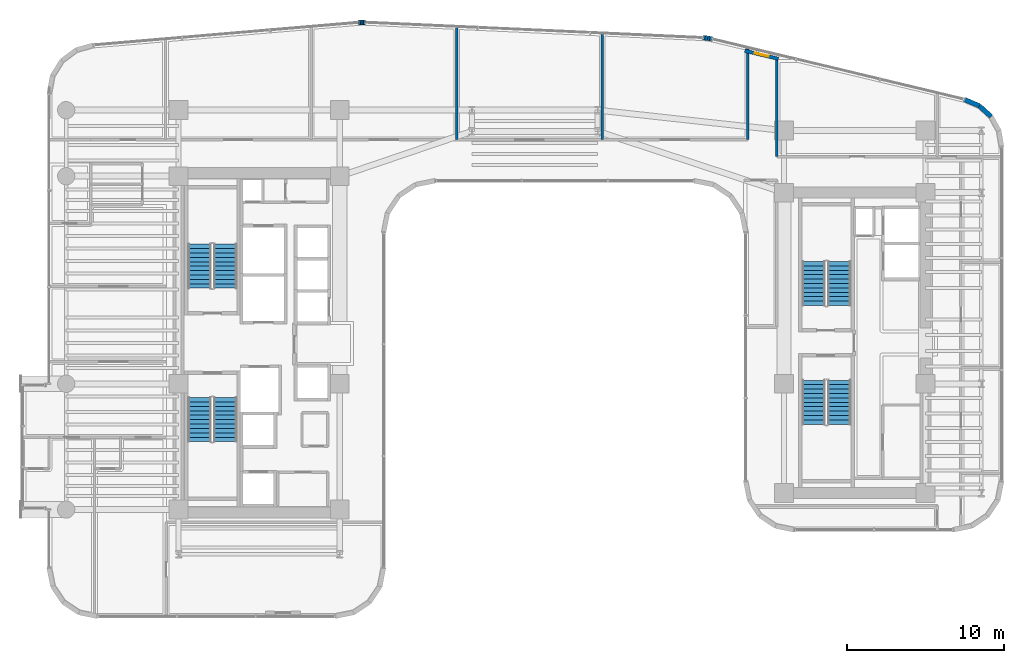
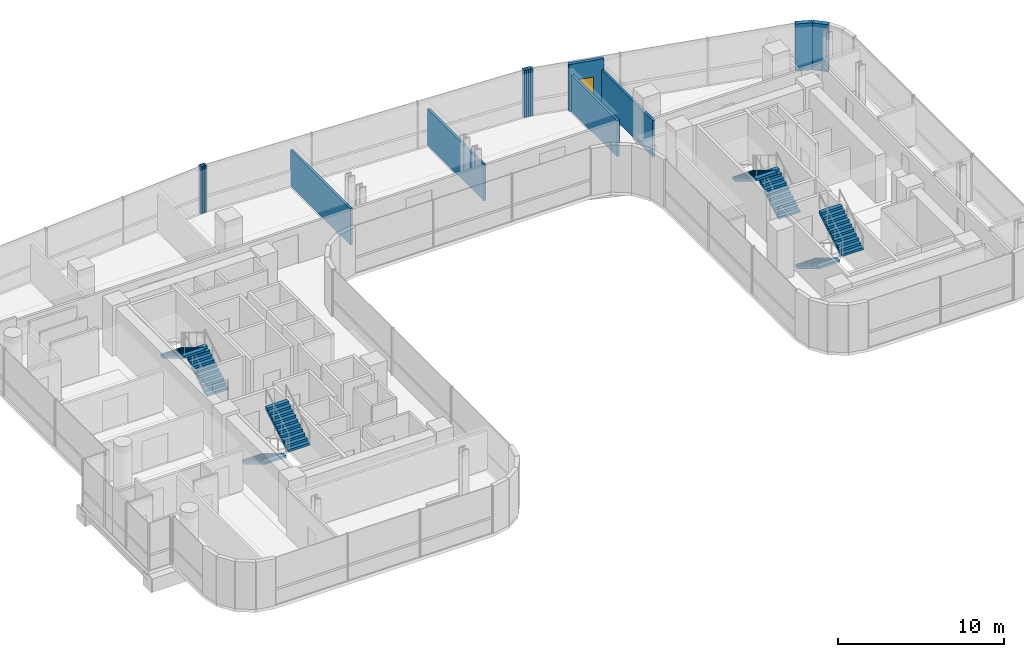
# One storey, part 32 of 37: 15 walls, 8 stair flights, 1 window, 1 opening, 4 elements without a shape of their own.
"""IFC4 building model written with IfcOpenShell, lengths in metres."""

from ifc_helpers import new_model, si_unit, direction, frame, frame_2d, origin, place, context, subcontext, project, spatial, polyline, rectangle, outline, extrude, material, layer, layer_set, type_object, element, fill, aggregate, save


model = new_model("IFC4")

# Units and contexts
model_context = context("Model", 3, precision=1e-05, world=origin(), true_north=direction((0.0, 1.0)))
body_context = subcontext(model_context, "Body", "Model", "MODEL_VIEW")
ifc_project = project(units=[si_unit("LENGTHUNIT", "METRE"), si_unit("AREAUNIT", "SQUARE_METRE"), si_unit("VOLUMEUNIT", "CUBIC_METRE"), si_unit("PLANEANGLEUNIT", "RADIAN"), si_unit("MASSUNIT", "GRAM", prefix="KILO")], contexts=[model_context])

# Site, building, storey
site_placement = place(None, origin())
site = spatial("IfcSite", under=ifc_project, at=site_placement, CompositionType="ELEMENT")
building_placement = place(site_placement, origin())
building = spatial("IfcBuilding", under=site, at=building_placement, Name="Valdorenza Pilgrim Sanctuary Tower", CompositionType="ELEMENT")
storey_placement = place(building_placement, frame((0.0, 0.0, 135.300048828125)))
storey = spatial("IfcBuildingStorey", under=building, at=storey_placement, Name="L34", CompositionType="ELEMENT", Elevation=135.300048828125)

# Walls
ifc_material_1 = material(Name="Acoustic twin-stud gypsum partition", Category="gypsum")
ifc_layer_1 = layer(ifc_material_1, 0.159912109375, Name="Acoustic twin-stud gypsum partition")
ifc_layer_set_1 = layer_set([ifc_layer_1], Name="Acoustic twin-stud gypsum partition")
wall_type_1 = type_object("IfcWallType", Name="WAL-COR-160", PredefinedType="PARTITIONING", material=ifc_layer_set_1)
wall_1_placement = place(storey_placement, frame((13.550048828125, 12.919921875, 0.0), z_axis=(0.0, 0.0, 1.0), x_axis=(0.0, 1.0, 0.0)))
element("IfcWall", 1, at=wall_1_placement, inside=storey, type_object=wall_type_1, Name="L34 North Band East Closure", PredefinedType="PARTITIONING", context=body_context, shape_type="SweptSolid", body=[
    extrude(rectangle(XDim=5.856689453125, YDim=0.159912109375, at=frame_2d((2.92822265625, 0.0))), origin(), (0.0, 0.0, 1.0), 2.666015625),
])
wall_2_placement = place(storey_placement, frame((15.39990234375, 11.85009765625, 0.0), z_axis=(0.0, 0.0, 1.0), x_axis=(0.0, 1.0, 0.0)))
element("IfcWall", 2, at=wall_2_placement, inside=storey, type_object=wall_type_1, Name="L34 Wing B North West Wall", PredefinedType="PARTITIONING", context=body_context, shape_type="SweptSolid", body=[
    extrude(rectangle(XDim=6.14990234375, YDim=0.159912109375, at=frame_2d((3.074951171875, 0.0))), origin(), (0.0, 0.0, 1.0), 2.666015625),
])
ifc_material_2 = material(Name="Honed travertine limestone", Category="masonry")
ifc_layer_2 = layer(ifc_material_2, 0.300048828125, Name="Honed travertine limestone")
ifc_layer_set_2 = layer_set([ifc_layer_2], Name="Honed travertine limestone")
wall_type_2 = type_object("IfcWallType", Name="WAL-EXT-300", PredefinedType="SOLIDWALL", material=ifc_layer_set_2)
wall_3_placement = place(storey_placement, frame((-11.199462890625, 20.37255859375, 0.0), z_axis=(0.0, 0.0, 1.0), x_axis=(0.997567332166, 0.069709524416, 0.0)))
element("IfcWall", 3, at=wall_3_placement, inside=storey, type_object=wall_type_2, Name="L34 Rounded Wind-Corner Stone Pier 7", PredefinedType="SOLIDWALL", context=body_context, shape_type="SweptSolid", body=[
    extrude(rectangle(XDim=0.1015625, YDim=0.300048828125, at=frame_2d((0.05078125, 0.0))), origin(), (0.0, 0.0, 1.0), 3.4599609375),
])
wall_4_placement = place(storey_placement, frame((-11.09814453125, 20.379638671875, 0.0), z_axis=(0.0, 0.0, 1.0), x_axis=(0.999334672785, 0.03647206835, 0.0)))
element("IfcWall", 4, at=wall_4_placement, inside=storey, type_object=wall_type_2, Name="L34 Rounded Wind-Corner Stone Pier 8", PredefinedType="SOLIDWALL", context=body_context, shape_type="SweptSolid", body=[
    extrude(rectangle(XDim=0.100341796875, YDim=0.300048828125, at=frame_2d((0.05029296875, 0.0))), origin(), (0.0, 0.0, 1.0), 3.4599609375),
])
wall_5_placement = place(storey_placement, frame((-10.997802734375, 20.38330078125, 0.0), z_axis=(0.0, 0.0, 1.0), x_axis=(0.999997054401, 0.002427177317, 0.0)))
element("IfcWall", 5, at=wall_5_placement, inside=storey, type_object=wall_type_2, Name="L34 Rounded Wind-Corner Stone Pier 9", PredefinedType="SOLIDWALL", context=body_context, shape_type="SweptSolid", body=[
    extrude(rectangle(XDim=0.1005859375, YDim=0.300048828125, at=frame_2d((0.05029296875, 0.0))), origin(), (0.0, 0.0, 1.0), 3.4599609375),
])
wall_6_placement = place(storey_placement, frame((-10.897216796875, 20.383544921875, 0.0), z_axis=(0.0, 0.0, 1.0), x_axis=(0.999584209171, -0.02883415988, 0.0)))
element("IfcWall", 6, at=wall_6_placement, inside=storey, type_object=wall_type_2, Name="L34 Rounded Wind-Corner Stone Pier 10", PredefinedType="SOLIDWALL", context=body_context, shape_type="SweptSolid", body=[
    extrude(rectangle(XDim=0.1015625, YDim=0.300048828125, at=frame_2d((0.05078125, 0.0))), origin(), (0.0, 0.0, 1.0), 3.4599609375),
])
wall_7_placement = place(storey_placement, frame((10.68994140625, 19.404052734375, 0.0), z_axis=(0.0, 0.0, 1.0), x_axis=(0.99758310784, -0.069483400546, 0.0)))
element("IfcWall", 7, at=wall_7_placement, inside=storey, type_object=wall_type_2, Name="L34 Rounded Wind-Corner Stone Pier 12", PredefinedType="SOLIDWALL", context=body_context, shape_type="SweptSolid", body=[
    extrude(rectangle(XDim=0.1474609375, YDim=0.300048828125, at=frame_2d((0.07373046875, 0.0))), origin(), (0.0, 0.0, 1.0), 3.4599609375),
])
for number, where, z_axis, x_axis, name in (
    (8, (10.837158203125, 19.393798828125, 0.0), (0.0, 0.0, 1.0), (0.993173334962, -0.116647874912, 0.0), "L34 Rounded Wind-Corner Stone Pier 13"),
    (9, (10.982666015625, 19.376708984375, 0.0), (0.0, 0.0, 1.0), (0.986573494681, -0.163317909592, 0.0), "L34 Rounded Wind-Corner Stone Pier 14"),
):
    element("IfcWall", number, at=place(storey_placement, frame(where, z_axis=z_axis, x_axis=x_axis)), inside=storey, type_object=wall_type_2, Name=name, PredefinedType="SOLIDWALL", context=body_context, shape_type="SweptSolid", body=[
        extrude(rectangle(XDim=0.146484375, YDim=0.300048828125, at=frame_2d((0.0732421875, 0.0))), origin(), (0.0, 0.0, 1.0), 3.4599609375),
    ])
wall_8_placement = place(storey_placement, frame((11.127197265625, 19.352783203125, 0.0), z_axis=(0.0, 0.0, 1.0), x_axis=(0.978019841688, -0.208511844421, 0.0)))
element("IfcWall", 10, at=wall_8_placement, inside=storey, type_object=wall_type_2, Name="L34 Rounded Wind-Corner Stone Pier 15", PredefinedType="SOLIDWALL", context=body_context, shape_type="SweptSolid", body=[
    extrude(rectangle(XDim=0.1474609375, YDim=0.300048828125, at=frame_2d((0.07373046875, 0.0))), origin(), (0.0, 0.0, 1.0), 3.4599609375),
])

# Wall, opening, window
wall_9_placement = place(storey_placement, frame((13.355224609375, 18.576416015625, 0.0), z_axis=(0.0, 0.0, 1.0), x_axis=(0.97252211384, -0.232810519721, 0.0)))
wall_9 = element("IfcWall", 11, at=wall_9_placement, inside=storey, type_object=wall_type_2, Name="L34 Operable Ventilation Sash Jamb Pier", PredefinedType="SOLIDWALL", context=body_context, shape_type="SweptSolid", body=[
    extrude(rectangle(XDim=2.2001953125, YDim=0.219970703125, at=frame_2d((1.10009765625, 0.0))), origin(), (0.0, 0.0, 1.0), 3.4599609375),
])
opening_placement = place(wall_9_placement, frame((0.64990234375, 0.0, 0.949951171875)))
opening = element("IfcOpeningElement", 12, at=opening_placement, cuts=wall_9, Name="Opening WN-OP1", PredefinedType="OPENING", context=body_context, shape_type="SweptSolid", body=[
    extrude(rectangle(XDim=0.89990234375, YDim=1.300048828125, at=frame_2d((0.449951171875, 0.64990234375))), frame((0.0, 0.125, 0.0), z_axis=(0.0, -1.0, 0.0), x_axis=(1.0, 0.0, 0.0)), (0.0, 0.0, 1.0), 0.249755859375),
])
ifc_material_3 = material(Name="Ceramic-fritted low-E IGU glazing", Category="glass")
window_type = type_object("IfcWindowType", Name="WIN-OPN-900", PartitioningType="SINGLE_PANEL", PredefinedType="WINDOW", material=ifc_material_3)
window_placement = place(opening_placement, origin())
window = element("IfcWindow", 13, at=window_placement, inside=storey, type_object=window_type, Name="L34 Parallel-Pop-Out Operable Facade Panel", OverallHeight=1.300048828125, OverallWidth=0.89990234375, PartitioningType="SINGLE_PANEL", PredefinedType="WINDOW", context=body_context, shape_type="SweptSolid", body=[
    extrude(rectangle(XDim=0.89990234375, YDim=1.300048828125, at=frame_2d((0.449951171875, 0.64990234375))), frame((0.0, 0.030029296875, 0.0), z_axis=(0.0, -1.0, 0.0), x_axis=(1.0, 0.0, 0.0)), (0.0, 0.0, 1.0), 0.06005859375),
])
fill(opening, window)

# Walls
wall_10_placement = place(storey_placement, frame((27.310302734375, 15.48291015625, 0.0), z_axis=(0.0, 0.0, 1.0), x_axis=(0.920250328759, -0.391330208927, 0.0)))
element("IfcWall", 14, at=wall_10_placement, inside=storey, type_object=wall_type_2, Name="L34 Rounded Wind-Corner Stone Pier 17", PredefinedType="SOLIDWALL", context=body_context, shape_type="SweptSolid", body=[
    extrude(rectangle(XDim=1.0361328125, YDim=0.300048828125, at=frame_2d((0.51806640625, 0.0))), origin(), (0.0, 0.0, 1.0), 3.4599609375),
])
wall_11_placement = place(storey_placement, frame((28.263916015625, 15.077392578125, 0.0), z_axis=(0.0, 0.0, 1.0), x_axis=(0.741208839713, -0.671274501178, 0.0)))
element("IfcWall", 15, at=wall_11_placement, inside=storey, type_object=wall_type_2, Name="L34 Rounded Wind-Corner Stone Pier 18", PredefinedType="SOLIDWALL", context=body_context, shape_type="SweptSolid", body=[
    extrude(rectangle(XDim=1.0263671875, YDim=0.300048828125, at=frame_2d((0.51318359375, 0.0))), origin(), (0.0, 0.0, 1.0), 3.4599609375),
])
ifc_layer_3 = layer(ifc_material_1, 0.14990234375, Name="Acoustic twin-stud gypsum partition")
ifc_layer_set_3 = layer_set([ifc_layer_3], Name="Acoustic twin-stud gypsum partition")
wall_type_3 = type_object("IfcWallType", Name="WAL-UNT-150", PredefinedType="PARTITIONING", material=ifc_layer_set_3)
wall_12_placement = place(storey_placement, frame((-4.966064453125, 12.919921875, 0.0), z_axis=(0.0, 0.0, 1.0), x_axis=(0.0, 1.0, 0.0)))
element("IfcWall", 16, at=wall_12_placement, inside=storey, type_object=wall_type_3, Name="L34 Theological Seminar Classroom L34-N4 Demising Wall", PredefinedType="PARTITIONING", context=body_context, shape_type="SweptSolid", body=[
    extrude(rectangle(XDim=7.195556640625, YDim=0.14990234375, at=frame_2d((3.59765625, 0.0))), origin(), (0.0, 0.0, 1.0), 2.666015625),
])
wall_13_placement = place(storey_placement, frame((4.2919921875, 12.919921875, 0.0), z_axis=(0.0, 0.0, 1.0), x_axis=(0.0, 1.0, 0.0)))
element("IfcWall", 17, at=wall_13_placement, inside=storey, type_object=wall_type_3, Name="L34 Theological Seminar Classroom L34-N5 Demising Wall", PredefinedType="PARTITIONING", context=body_context, shape_type="SweptSolid", body=[
    extrude(rectangle(XDim=6.77490234375, YDim=0.14990234375, at=frame_2d((3.387451171875, 0.0))), origin(), (0.0, 0.0, 1.0), 2.666015625),
])

# Stair, stair flights
ifc_material_4 = material(Name="Concrete C40/50", Category="concrete")
stair_type = type_object("IfcStairType", Name="STR-DOG-CORE", PredefinedType="HALF_TURN_STAIR", material=ifc_material_4)
stair_1_placement = place(storey_placement, origin())
stair_1 = element("IfcStair", 18, at=stair_1_placement, inside=storey, type_object=stair_type, Name="L34 ST-A1", PredefinedType="HALF_TURN_STAIR")
stair_flight_type = type_object("IfcStairFlightType", Name="STF-RC-1400", PredefinedType="STRAIGHT", material=ifc_material_4)
stair_flight_1_placement = place(storey_placement, frame((-19.679931640625, 3.47998046875, 0.0), z_axis=(0.0, 0.0, 1.0), x_axis=(0.0, 1.0, 0.0)))
stair_flight_1 = element("IfcStairFlight", 19, at=stair_flight_1_placement, type_object=stair_flight_type, Name="ST-A1 flight 1", NumberOfRisers=11, NumberOfTreads=10, PredefinedType="STRAIGHT", RiserHeight=0.168181818, TreadLength=0.28, context=body_context, shape_type="SweptSolid", body=[
    extrude(outline(polyline([(0.0, 0.0), (0.0, 0.168212890625), (0.280029296875, 0.168212890625), (0.280029296875, 0.33642578125), (0.56005859375, 0.33642578125), (0.56005859375, 0.504638671875), (0.840087890625, 0.504638671875), (0.840087890625, 0.672607421875), (1.1201171875, 0.672607421875), (1.1201171875, 0.8408203125), (1.39990234375, 0.8408203125), (1.39990234375, 1.009033203125), (1.679931640625, 1.009033203125), (1.679931640625, 1.17724609375), (1.9599609375, 1.17724609375), (1.9599609375, 1.345458984375), (2.239990234375, 1.345458984375), (2.239990234375, 1.513671875), (2.52001953125, 1.513671875), (2.52001953125, 1.681884765625), (2.800048828125, 1.681884765625), (2.800048828125, 1.85009765625), (2.800048828125, 1.5068359375), (0.291015625, 0.0), (0.0, 0.0)])), frame((0.0, 0.739990234375, 0.0), z_axis=(0.0, -1.0, 0.0), x_axis=(1.0, 0.0, 0.0)), (0.0, 0.0, 1.0), 1.47998046875),
])
stair_flight_2_placement = place(storey_placement, frame((-21.31005859375, 6.280029296875, 1.849853515625), z_axis=(0.0, 0.0, 1.0), x_axis=(0.0, -1.0, 0.0)))
stair_flight_2 = element("IfcStairFlight", 20, at=stair_flight_2_placement, type_object=stair_flight_type, Name="ST-A1 flight 2", NumberOfRisers=11, NumberOfTreads=10, PredefinedType="STRAIGHT", RiserHeight=0.168181818, TreadLength=0.28, context=body_context, shape_type="SweptSolid", body=[
    extrude(outline(polyline([(0.0, 0.0), (0.0, 0.168212890625), (0.280029296875, 0.168212890625), (0.280029296875, 0.33642578125), (0.56005859375, 0.33642578125), (0.56005859375, 0.504638671875), (0.840087890625, 0.504638671875), (0.840087890625, 0.672607421875), (1.1201171875, 0.672607421875), (1.1201171875, 0.8408203125), (1.39990234375, 0.8408203125), (1.39990234375, 1.009033203125), (1.679931640625, 1.009033203125), (1.679931640625, 1.17724609375), (1.9599609375, 1.17724609375), (1.9599609375, 1.345458984375), (2.239990234375, 1.345458984375), (2.239990234375, 1.513671875), (2.52001953125, 1.513671875), (2.52001953125, 1.681884765625), (2.800048828125, 1.681884765625), (2.800048828125, 1.85009765625), (2.800048828125, 1.5068359375), (0.291015625, 0.0), (0.0, 0.0)])), frame((0.0, 0.739990234375, 0.0), z_axis=(0.0, -1.0, 0.0), x_axis=(1.0, 0.0, 0.0)), (0.0, 0.0, 1.0), 1.47998046875),
])
aggregate(stair_1, [stair_flight_1, stair_flight_2])

stair_2_placement = place(storey_placement, origin())
stair_2 = element("IfcStair", 21, at=stair_2_placement, inside=storey, type_object=stair_type, Name="L34 ST-A2", PredefinedType="HALF_TURN_STAIR")
stair_flight_3_placement = place(storey_placement, frame((-21.31005859375, -3.47998046875, 0.0), z_axis=(0.0, 0.0, 1.0), x_axis=(0.0, -1.0, 0.0)))
stair_flight_3 = element("IfcStairFlight", 22, at=stair_flight_3_placement, type_object=stair_flight_type, Name="ST-A2 flight 1", NumberOfRisers=11, NumberOfTreads=10, PredefinedType="STRAIGHT", RiserHeight=0.168181818, TreadLength=0.28, context=body_context, shape_type="SweptSolid", body=[
    extrude(outline(polyline([(0.0, 0.0), (0.0, 0.168212890625), (0.280029296875, 0.168212890625), (0.280029296875, 0.33642578125), (0.56005859375, 0.33642578125), (0.56005859375, 0.504638671875), (0.840087890625, 0.504638671875), (0.840087890625, 0.672607421875), (1.1201171875, 0.672607421875), (1.1201171875, 0.8408203125), (1.39990234375, 0.8408203125), (1.39990234375, 1.009033203125), (1.679931640625, 1.009033203125), (1.679931640625, 1.17724609375), (1.9599609375, 1.17724609375), (1.9599609375, 1.345458984375), (2.239990234375, 1.345458984375), (2.239990234375, 1.513671875), (2.52001953125, 1.513671875), (2.52001953125, 1.681884765625), (2.800048828125, 1.681884765625), (2.800048828125, 1.85009765625), (2.800048828125, 1.5068359375), (0.291015625, 0.0), (0.0, 0.0)])), frame((0.0, 0.739990234375, 0.0), z_axis=(0.0, -1.0, 0.0), x_axis=(1.0, 0.0, 0.0)), (0.0, 0.0, 1.0), 1.47998046875),
])
stair_flight_4_placement = place(storey_placement, frame((-19.679931640625, -6.280029296875, 1.849853515625), z_axis=(0.0, 0.0, 1.0), x_axis=(0.0, 1.0, 0.0)))
stair_flight_4 = element("IfcStairFlight", 23, at=stair_flight_4_placement, type_object=stair_flight_type, Name="ST-A2 flight 2", NumberOfRisers=11, NumberOfTreads=10, PredefinedType="STRAIGHT", RiserHeight=0.168181818, TreadLength=0.28, context=body_context, shape_type="SweptSolid", body=[
    extrude(outline(polyline([(0.0, 0.0), (0.0, 0.168212890625), (0.280029296875, 0.168212890625), (0.280029296875, 0.33642578125), (0.56005859375, 0.33642578125), (0.56005859375, 0.504638671875), (0.840087890625, 0.504638671875), (0.840087890625, 0.672607421875), (1.1201171875, 0.672607421875), (1.1201171875, 0.8408203125), (1.39990234375, 0.8408203125), (1.39990234375, 1.009033203125), (1.679931640625, 1.009033203125), (1.679931640625, 1.17724609375), (1.9599609375, 1.17724609375), (1.9599609375, 1.345458984375), (2.239990234375, 1.345458984375), (2.239990234375, 1.513671875), (2.52001953125, 1.513671875), (2.52001953125, 1.681884765625), (2.800048828125, 1.681884765625), (2.800048828125, 1.85009765625), (2.800048828125, 1.5068359375), (0.291015625, 0.0), (0.0, 0.0)])), frame((0.0, 0.739990234375, 0.0), z_axis=(0.0, -1.0, 0.0), x_axis=(1.0, 0.0, 0.0)), (0.0, 0.0, 1.0), 1.47998046875),
])
aggregate(stair_2, [stair_flight_3, stair_flight_4])

stair_3_placement = place(storey_placement, origin())
stair_3 = element("IfcStair", 24, at=stair_3_placement, inside=storey, type_object=stair_type, Name="L34 ST-B1", PredefinedType="HALF_TURN_STAIR")
stair_flight_5_placement = place(storey_placement, frame((19.3701171875, 2.3798828125, 0.0), z_axis=(0.0, 0.0, 1.0), x_axis=(0.0, 1.0, 0.0)))
stair_flight_5 = element("IfcStairFlight", 25, at=stair_flight_5_placement, type_object=stair_flight_type, Name="ST-B1 flight 1", NumberOfRisers=11, NumberOfTreads=10, PredefinedType="STRAIGHT", RiserHeight=0.168181818, TreadLength=0.28, context=body_context, shape_type="SweptSolid", body=[
    extrude(outline(polyline([(0.0, 0.0), (0.0, 0.168212890625), (0.280029296875, 0.168212890625), (0.280029296875, 0.33642578125), (0.56005859375, 0.33642578125), (0.56005859375, 0.504638671875), (0.840087890625, 0.504638671875), (0.840087890625, 0.672607421875), (1.1201171875, 0.672607421875), (1.1201171875, 0.8408203125), (1.39990234375, 0.8408203125), (1.39990234375, 1.009033203125), (1.679931640625, 1.009033203125), (1.679931640625, 1.17724609375), (1.9599609375, 1.17724609375), (1.9599609375, 1.345458984375), (2.239990234375, 1.345458984375), (2.239990234375, 1.513671875), (2.52001953125, 1.513671875), (2.52001953125, 1.681884765625), (2.800048828125, 1.681884765625), (2.800048828125, 1.85009765625), (2.800048828125, 1.5068359375), (0.291015625, 0.0), (0.0, 0.0)])), frame((0.0, 0.739990234375, 0.0), z_axis=(0.0, -1.0, 0.0), x_axis=(1.0, 0.0, 0.0)), (0.0, 0.0, 1.0), 1.47998046875),
])
stair_flight_6_placement = place(storey_placement, frame((17.739990234375, 5.179931640625, 1.849853515625), z_axis=(0.0, 0.0, 1.0), x_axis=(0.0, -1.0, 0.0)))
stair_flight_6 = element("IfcStairFlight", 26, at=stair_flight_6_placement, type_object=stair_flight_type, Name="ST-B1 flight 2", NumberOfRisers=11, NumberOfTreads=10, PredefinedType="STRAIGHT", RiserHeight=0.168181818, TreadLength=0.28, context=body_context, shape_type="SweptSolid", body=[
    extrude(outline(polyline([(0.0, 0.0), (0.0, 0.168212890625), (0.280029296875, 0.168212890625), (0.280029296875, 0.33642578125), (0.56005859375, 0.33642578125), (0.56005859375, 0.504638671875), (0.840087890625, 0.504638671875), (0.840087890625, 0.672607421875), (1.1201171875, 0.672607421875), (1.1201171875, 0.8408203125), (1.39990234375, 0.8408203125), (1.39990234375, 1.009033203125), (1.679931640625, 1.009033203125), (1.679931640625, 1.17724609375), (1.9599609375, 1.17724609375), (1.9599609375, 1.345458984375), (2.239990234375, 1.345458984375), (2.239990234375, 1.513671875), (2.52001953125, 1.513671875), (2.52001953125, 1.681884765625), (2.800048828125, 1.681884765625), (2.800048828125, 1.85009765625), (2.800048828125, 1.5068359375), (0.291015625, 0.0), (0.0, 0.0)])), frame((0.0, 0.739990234375, 0.0), z_axis=(0.0, -1.0, 0.0), x_axis=(1.0, 0.0, 0.0)), (0.0, 0.0, 1.0), 1.47998046875),
])
aggregate(stair_3, [stair_flight_5, stair_flight_6])

stair_4_placement = place(storey_placement, origin())
stair_4 = element("IfcStair", 27, at=stair_4_placement, inside=storey, type_object=stair_type, Name="L34 ST-B2", PredefinedType="HALF_TURN_STAIR")
stair_flight_7_placement = place(storey_placement, frame((17.739990234375, -2.3798828125, 0.0), z_axis=(0.0, 0.0, 1.0), x_axis=(0.0, -1.0, 0.0)))
stair_flight_7 = element("IfcStairFlight", 28, at=stair_flight_7_placement, type_object=stair_flight_type, Name="ST-B2 flight 1", NumberOfRisers=11, NumberOfTreads=10, PredefinedType="STRAIGHT", RiserHeight=0.168181818, TreadLength=0.28, context=body_context, shape_type="SweptSolid", body=[
    extrude(outline(polyline([(0.0, 0.0), (0.0, 0.168212890625), (0.280029296875, 0.168212890625), (0.280029296875, 0.33642578125), (0.56005859375, 0.33642578125), (0.56005859375, 0.504638671875), (0.840087890625, 0.504638671875), (0.840087890625, 0.672607421875), (1.1201171875, 0.672607421875), (1.1201171875, 0.8408203125), (1.39990234375, 0.8408203125), (1.39990234375, 1.009033203125), (1.679931640625, 1.009033203125), (1.679931640625, 1.17724609375), (1.9599609375, 1.17724609375), (1.9599609375, 1.345458984375), (2.239990234375, 1.345458984375), (2.239990234375, 1.513671875), (2.52001953125, 1.513671875), (2.52001953125, 1.681884765625), (2.800048828125, 1.681884765625), (2.800048828125, 1.85009765625), (2.800048828125, 1.5068359375), (0.291015625, 0.0), (0.0, 0.0)])), frame((0.0, 0.739990234375, 0.0), z_axis=(0.0, -1.0, 0.0), x_axis=(1.0, 0.0, 0.0)), (0.0, 0.0, 1.0), 1.47998046875),
])
stair_flight_8_placement = place(storey_placement, frame((19.3701171875, -5.179931640625, 1.849853515625), z_axis=(0.0, 0.0, 1.0), x_axis=(0.0, 1.0, 0.0)))
stair_flight_8 = element("IfcStairFlight", 29, at=stair_flight_8_placement, type_object=stair_flight_type, Name="ST-B2 flight 2", NumberOfRisers=11, NumberOfTreads=10, PredefinedType="STRAIGHT", RiserHeight=0.168181818, TreadLength=0.28, context=body_context, shape_type="SweptSolid", body=[
    extrude(outline(polyline([(0.0, 0.0), (0.0, 0.168212890625), (0.280029296875, 0.168212890625), (0.280029296875, 0.33642578125), (0.56005859375, 0.33642578125), (0.56005859375, 0.504638671875), (0.840087890625, 0.504638671875), (0.840087890625, 0.672607421875), (1.1201171875, 0.672607421875), (1.1201171875, 0.8408203125), (1.39990234375, 0.8408203125), (1.39990234375, 1.009033203125), (1.679931640625, 1.009033203125), (1.679931640625, 1.17724609375), (1.9599609375, 1.17724609375), (1.9599609375, 1.345458984375), (2.239990234375, 1.345458984375), (2.239990234375, 1.513671875), (2.52001953125, 1.513671875), (2.52001953125, 1.681884765625), (2.800048828125, 1.681884765625), (2.800048828125, 1.85009765625), (2.800048828125, 1.5068359375), (0.291015625, 0.0), (0.0, 0.0)])), frame((0.0, 0.739990234375, 0.0), z_axis=(0.0, -1.0, 0.0), x_axis=(1.0, 0.0, 0.0)), (0.0, 0.0, 1.0), 1.47998046875),
])
aggregate(stair_4, [stair_flight_7, stair_flight_8])

save(model, "model.ifc")
